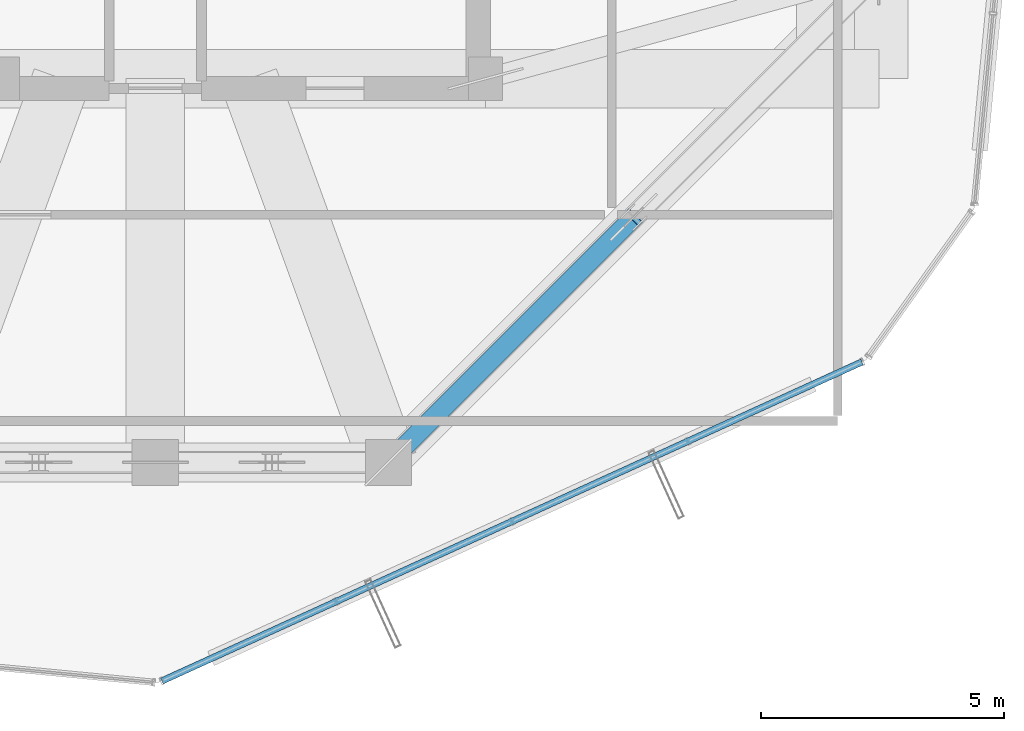
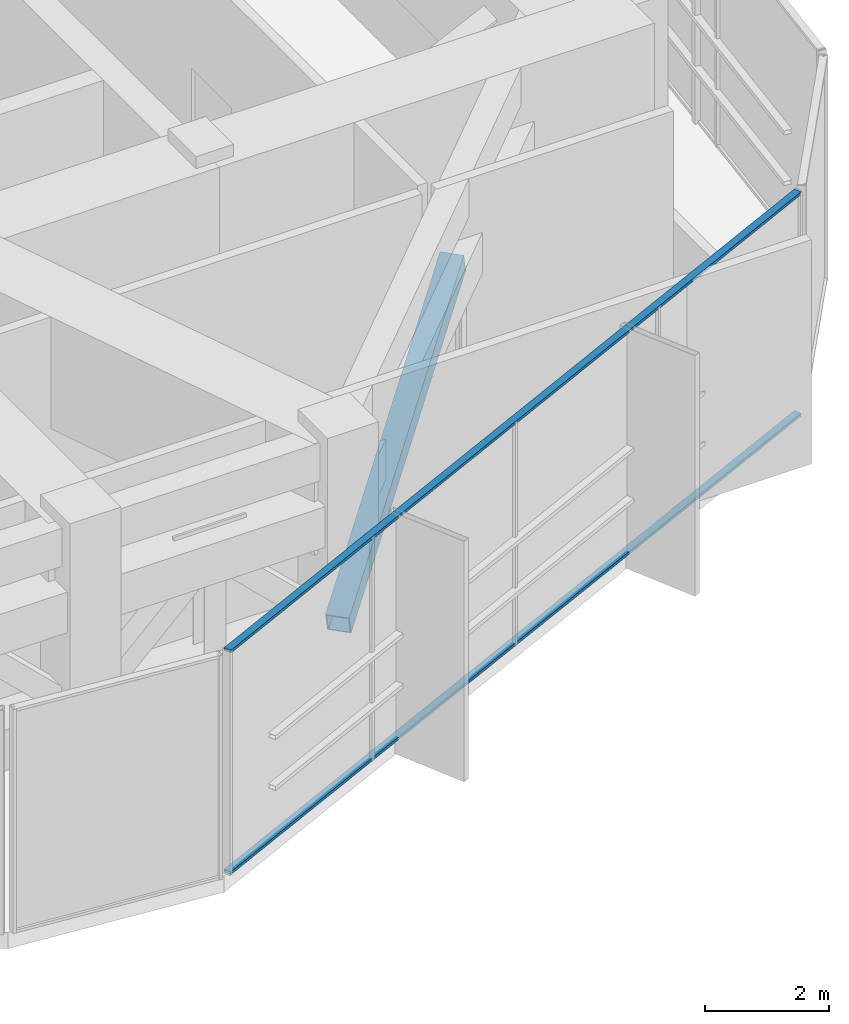
# One storey, part 7 of 31: 3 members, 1 element without a shape of its own.
"""IFC4 building model written with IfcOpenShell, lengths in metres."""

from ifc_helpers import new_model, si_unit, direction, frame, origin, origin_2d, place, context, subcontext, project, spatial, hollow_rectangle, extrude, source, transform, mapped, material, layer, layer_set, material_profile, profile_set, type_object, element, aggregate, save


model = new_model("IFC4")

# Units and contexts
model_context = context("Model", 3, precision=1e-05, world=origin(), true_north=direction((0.0, 1.0)))
body_context = subcontext(model_context, "Body", "Model", "MODEL_VIEW")
ifc_project = project(units=[si_unit("LENGTHUNIT", "METRE"), si_unit("AREAUNIT", "SQUARE_METRE"), si_unit("VOLUMEUNIT", "CUBIC_METRE"), si_unit("PLANEANGLEUNIT", "RADIAN"), si_unit("MASSUNIT", "GRAM", prefix="KILO")], contexts=[model_context])

# Site, building, storey
site_placement = place(None, origin())
site = spatial("IfcSite", under=ifc_project, at=site_placement, CompositionType="ELEMENT")
building_placement = place(site_placement, origin())
building = spatial("IfcBuilding", under=site, at=building_placement, Name="Veraguas Prism Commons", CompositionType="ELEMENT")
storey_placement = place(building_placement, frame((0.0, 0.0, 225.39990234375)))
storey = spatial("IfcBuildingStorey", under=building, at=storey_placement, Name="L64", CompositionType="ELEMENT", Elevation=225.39990234375)

# Member
ifc_material_1 = material(Name="Steel ASTM A500 Grade C", Category="steel")
ifc_material_profile_1 = material_profile(ifc_material_1, hollow_rectangle(XDim=0.39990234375, YDim=0.39990234375, WallThickness=0.02001953125, at=origin_2d()), Name="HSS400X400X20")
ifc_profile_set_1 = profile_set([ifc_material_profile_1], Name="Steel ASTM A500 Grade C")
member_type_1 = type_object("IfcMemberType", Name="Wind Portal V-Brace HSS 400x400x20", PredefinedType="BRACE", material=ifc_profile_set_1)
member_1_placement = place(storey_placement, frame((28.800048828125, 9.10009765625, 0.550048828125), z_axis=(0.672667665819, 0.672635146231, 0.308350727933), x_axis=(-0.707089688307, 0.707123873653, 0.0)))
element("IfcMember", 1, at=member_1_placement, inside=storey, type_object=member_type_1, Name="Perimeter Belt Truss Brace L64-12A", PredefinedType="BRACE", context=body_context, shape_type="SweptSolid", body=[
    extrude(hollow_rectangle(XDim=0.39990234375, YDim=0.39990234375, WallThickness=0.02001953125, at=origin_2d()), origin(), (0.0, 0.0, 1.0), 7.507568359375),
])

# Curtain wall, members
ifc_material_2 = material(Name="Anodised aluminium EN AW-6063 T6", Category="aluminium")
ifc_layer = layer(ifc_material_2, 0.14990234375, Name="Unitised Flush Curtain Wall Zone 3", Category="aluminium")
ifc_layer_set = layer_set([ifc_layer], Name="Anodised aluminium EN AW-6063 T6")
curtain_wall_type = type_object("IfcCurtainWallType", Name="Unitised Flush Curtain Wall Zone 3", PredefinedType="NOTDEFINED", material=ifc_layer_set)
curtain_wall_placement = place(storey_placement, origin())
curtain_wall = element("IfcCurtainWall", 2, at=curtain_wall_placement, inside=storey, type_object=curtain_wall_type, Name="Tower Facade Curtain Wall L64-F5", PredefinedType="NOTDEFINED")
ifc_material_profile_2 = material_profile(ifc_material_2, hollow_rectangle(XDim=0.054931640625, YDim=0.135009765625, WallThickness=0.0029296875, at=origin_2d()), Name="AL55X135X3")
ifc_profile_set_2 = profile_set([ifc_material_profile_2], Name="Anodised aluminium EN AW-6063 T6")
member_type_2 = type_object("IfcMemberType", Name="Curtain Wall Transom Standard AL 55x135x3", PredefinedType="USERDEFINED", material=ifc_profile_set_2)
shared_shape = source(origin(), body_context, "Body", "SweptSolid", [
    extrude(hollow_rectangle(XDim=0.054931640625, YDim=0.135009765625, WallThickness=0.0029296875, at=origin_2d()), origin(), (0.0, 0.0, 1.0), 15.84228515625),
])
member_2_placement = place(storey_placement, frame((24.13623046875, 4.599609375, 0.027587890625), z_axis=(0.909965480714, 0.414684004886, 0.0), x_axis=(0.0, 0.0, 1.0)))
member_2 = element("IfcMember", 3, at=member_2_placement, type_object=member_type_2, Name="CW-Z3 Transom 1", ObjectType="TRANSOM", PredefinedType="USERDEFINED", context=body_context, shape_type="MappedRepresentation", body=[
    mapped(shared_shape, transform((0.0, 0.0, 0.0), scale=1.0)),
])
member_3_placement = place(storey_placement, frame((24.13623046875, 4.599609375, 4.3876953125), z_axis=(0.909965480714, 0.414684004886, 0.0), x_axis=(0.0, 0.0, 1.0)))
member_3 = element("IfcMember", 4, at=member_3_placement, type_object=member_type_2, Name="CW-Z3 Transom 2", ObjectType="TRANSOM", PredefinedType="USERDEFINED", context=body_context, shape_type="MappedRepresentation", body=[
    mapped(shared_shape, transform((0.0, 0.0, 0.0), scale=1.0)),
])
aggregate(curtain_wall, [member_2, member_3])

save(model, "model.ifc")
